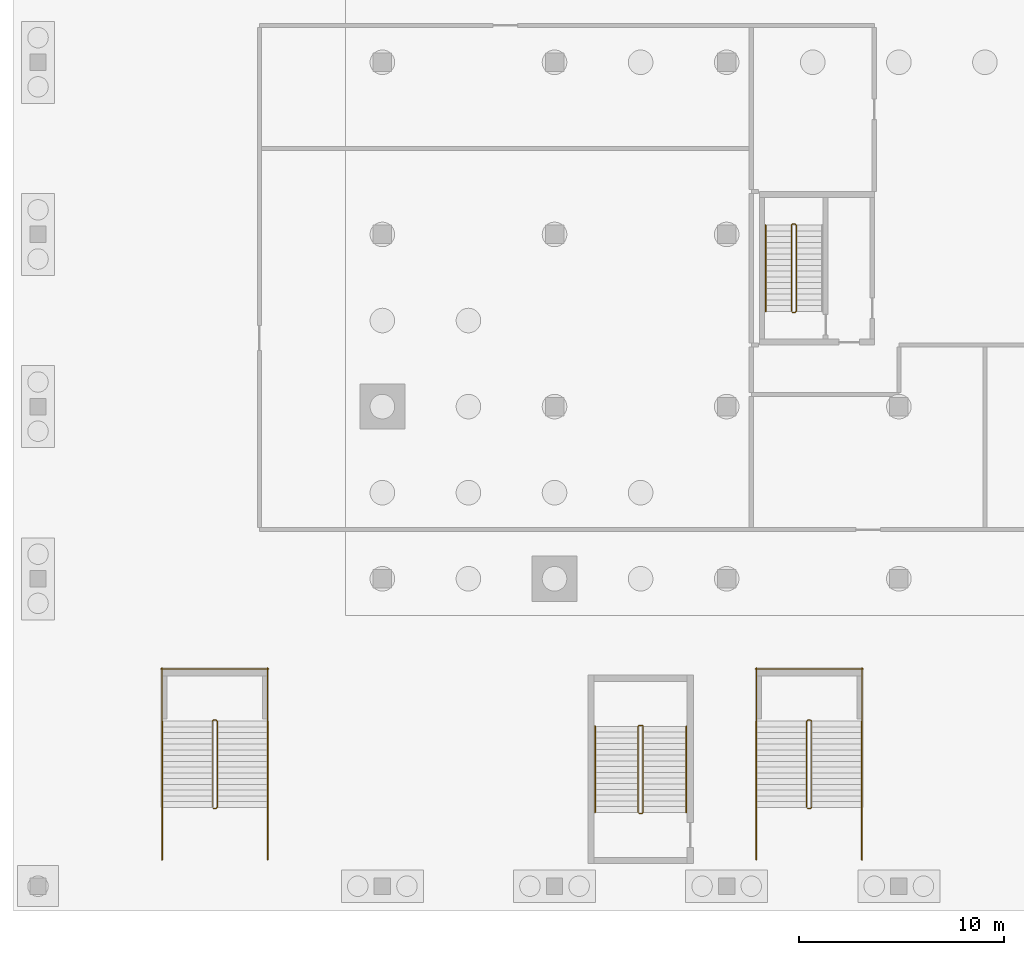
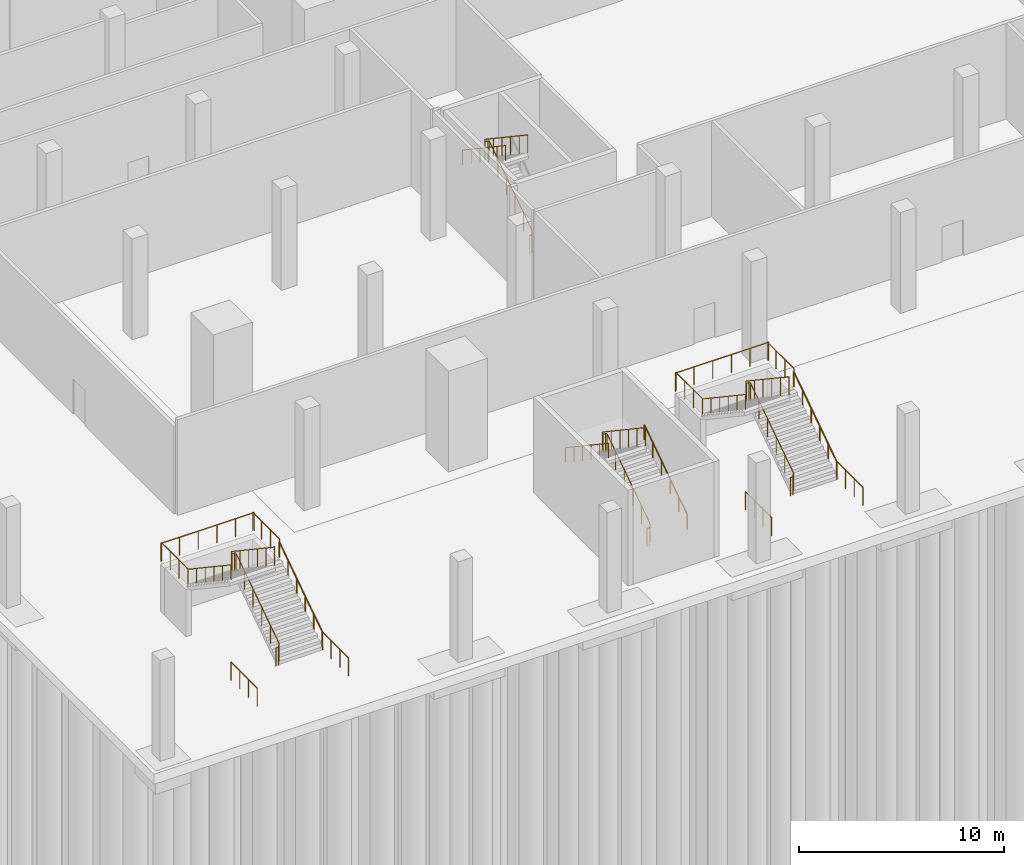
# One storey, part 13 of 16: 17 railings.
"""IFC4 building model written with IfcOpenShell, lengths in metres."""

from ifc_helpers import new_model, si_unit, direction, frame, origin, origin_2d, place, context, subcontext, project, spatial, circle, extrude, material, type_object, element, save


model = new_model("IFC4")

# Units and contexts
model_context = context("Model", 3, precision=1e-05, world=origin(), true_north=direction((0.0, 1.0)))
body_context = subcontext(model_context, "Body", "Model", "MODEL_VIEW")
ifc_project = project(units=[si_unit("LENGTHUNIT", "METRE"), si_unit("AREAUNIT", "SQUARE_METRE"), si_unit("VOLUMEUNIT", "CUBIC_METRE"), si_unit("PLANEANGLEUNIT", "RADIAN"), si_unit("MASSUNIT", "GRAM", prefix="KILO")], contexts=[model_context])

# Site, building, storey
site_placement = place(None, origin())
site = spatial("IfcSite", under=ifc_project, at=site_placement, CompositionType="ELEMENT")
building_placement = place(site_placement, origin())
building = spatial("IfcBuilding", under=site, at=building_placement, Name="Saffron Gate Tower", CompositionType="ELEMENT")
storey_placement = place(building_placement, frame((0.0, 0.0, -6.0)))
storey = spatial("IfcBuildingStorey", under=building, at=storey_placement, Name="B1", CompositionType="ELEMENT", Elevation=-6.0)

# Railings
ifc_material_1 = material(Name="Stainless steel and laminated glass", Category="steel")
railing_type_1 = type_object("IfcRailingType", Name="CR1 Stair guard 1100", PredefinedType="GUARDRAIL", material=ifc_material_1)
railing_1_placement = place(storey_placement, frame((41.550048828125, 20.60009765625, 0.0)))
element("IfcRailing", 1, at=railing_1_placement, inside=storey, type_object=railing_type_1, Name="B1 SS1 stair guard 1", PredefinedType="GUARDRAIL", context=body_context, shape_type="SweptSolid", body=[
    extrude(circle(Radius=0.02392578125, at=origin_2d()), frame((0.0, 0.0, 1.076171875), z_axis=(1.0, 0.0, 0.0), x_axis=(0.0, 1.0, 0.0)), (0.0, 0.0, 1.0), 0.14990234375),
    extrude(circle(Radius=0.02392578125, at=origin_2d()), frame((0.14990234375, 0.0, 1.076171875), z_axis=(0.249802250048, 0.248583702486, 0.935844527007), x_axis=(-0.705375805398, 0.708833529934, 0.0)), (0.0, 0.0, 1.0), 0.200439453125),
    extrude(circle(Radius=0.02392578125, at=origin_2d()), frame((0.199951171875, 0.0498046875, 1.263671875), z_axis=(0.0, 0.830919138977, 0.55639319234), x_axis=(-1.0, 0.0, 0.0)), (0.0, 0.0, 1.0), 5.054931640625),
    extrude(circle(Radius=0.02392578125, at=origin_2d()), frame((0.199951171875, 4.25, 4.076171875), z_axis=(-0.708833529934, 0.705375805398, 0.0), x_axis=(-0.705375805398, -0.708833529934, 0.0)), (0.0, 0.0, 1.0), 0.070556640625),
    extrude(circle(Radius=0.02392578125, at=origin_2d()), frame((0.14990234375, 4.2998046875, 4.076171875), z_axis=(-1.0, 0.0, 0.0), x_axis=(0.0, -1.0, 0.0)), (0.0, 0.0, 1.0), 0.14990234375),
    extrude(circle(Radius=0.02392578125, at=origin_2d()), frame((0.0, 4.2998046875, 4.076171875), z_axis=(-0.249802250048, -0.248583702486, 0.935844527007), x_axis=(0.705375805398, -0.708833529934, 0.0)), (0.0, 0.0, 1.0), 0.200439453125),
    extrude(circle(Radius=0.02392578125, at=origin_2d()), frame((-0.050048828125, 4.25, 4.263671875), z_axis=(0.0, -0.830919138977, 0.55639319234), x_axis=(1.0, 0.0, 0.0)), (0.0, 0.0, 1.0), 5.054931640625),
    extrude(circle(Radius=0.02099609375, at=origin_2d()), origin(), (0.0, 0.0, 1.0), 1.052001953125),
    extrude(circle(Radius=0.02099609375, at=origin_2d()), frame((0.14990234375, 0.0, 0.0)), (0.0, 0.0, 1.0), 1.052001953125),
    extrude(circle(Radius=0.02099609375, at=origin_2d()), frame((0.199951171875, 0.0498046875, 0.1875)), (0.0, 0.0, 1.0), 1.052001953125),
    extrude(circle(Radius=0.02099609375, at=origin_2d()), frame((0.199951171875, 0.889892578125, 0.75)), (0.0, 0.0, 1.0), 1.052001953125),
    extrude(circle(Radius=0.02099609375, at=origin_2d()), frame((0.199951171875, 1.72998046875, 1.3125)), (0.0, 0.0, 1.0), 1.052001953125),
    extrude(circle(Radius=0.02099609375, at=origin_2d()), frame((0.199951171875, 2.56982421875, 1.875)), (0.0, 0.0, 1.0), 1.052001953125),
    extrude(circle(Radius=0.02099609375, at=origin_2d()), frame((0.199951171875, 3.409912109375, 2.4375)), (0.0, 0.0, 1.0), 1.052001953125),
    extrude(circle(Radius=0.02099609375, at=origin_2d()), frame((0.199951171875, 4.25, 3.0)), (0.0, 0.0, 1.0), 1.052001953125),
    extrude(circle(Radius=0.02099609375, at=origin_2d()), frame((0.14990234375, 4.2998046875, 3.0)), (0.0, 0.0, 1.0), 1.052001953125),
    extrude(circle(Radius=0.02099609375, at=origin_2d()), frame((0.0, 4.2998046875, 3.0)), (0.0, 0.0, 1.0), 1.052001953125),
    extrude(circle(Radius=0.02099609375, at=origin_2d()), frame((-0.050048828125, 4.25, 3.1875)), (0.0, 0.0, 1.0), 1.052001953125),
    extrude(circle(Radius=0.02099609375, at=origin_2d()), frame((-0.050048828125, 3.409912109375, 3.75)), (0.0, 0.0, 1.0), 1.052001953125),
    extrude(circle(Radius=0.02099609375, at=origin_2d()), frame((-0.050048828125, 2.56982421875, 4.3125)), (0.0, 0.0, 1.0), 1.052001953125),
    extrude(circle(Radius=0.02099609375, at=origin_2d()), frame((-0.050048828125, 1.72998046875, 4.875)), (0.0, 0.0, 1.0), 1.052001953125),
    extrude(circle(Radius=0.02099609375, at=origin_2d()), frame((-0.050048828125, 0.889892578125, 5.4375)), (0.0, 0.0, 1.0), 1.052001953125),
    extrude(circle(Radius=0.02099609375, at=origin_2d()), frame((-0.050048828125, 0.0498046875, 6.0)), (0.0, 0.0, 1.0), 1.052001953125),
])
railing_2_placement = place(storey_placement, frame((44.199951171875, 24.85009765625, 3.0)))
element("IfcRailing", 2, at=railing_2_placement, inside=storey, type_object=railing_type_1, Name="B1 SS1 stair guard 2", PredefinedType="GUARDRAIL", context=body_context, shape_type="SweptSolid", body=[
    extrude(circle(Radius=0.02392578125, at=origin_2d()), frame((0.0, 0.0, 1.076171875), z_axis=(0.0, 1.0, 0.0), x_axis=(-1.0, 0.0, 0.0)), (0.0, 0.0, 1.0), 2.599853515625),
    extrude(circle(Radius=0.02392578125, at=origin_2d()), frame((0.0, 2.599853515625, 1.076171875), z_axis=(0.707106781187, -0.707106781187, 0.0), x_axis=(0.707106781187, 0.707106781187, 0.0)), (0.0, 0.0, 1.0), 0.07080078125),
    extrude(circle(Radius=0.02392578125, at=origin_2d()), frame((0.050048828125, 2.5498046875, 1.076171875), z_axis=(-1.0, 0.0, 0.0), x_axis=(0.0, -1.0, 0.0)), (0.0, 0.0, 1.0), 5.25),
    extrude(circle(Radius=0.02392578125, at=origin_2d()), frame((-5.199951171875, 2.5498046875, 1.076171875), z_axis=(0.707106781187, 0.707106781187, 0.0), x_axis=(-0.707106781187, 0.707106781187, 0.0)), (0.0, 0.0, 1.0), 0.07080078125),
    extrude(circle(Radius=0.02392578125, at=origin_2d()), frame((-5.14990234375, 2.599853515625, 1.076171875), z_axis=(0.0, -1.0, 0.0), x_axis=(1.0, 0.0, 0.0)), (0.0, 0.0, 1.0), 2.599853515625),
    extrude(circle(Radius=0.02099609375, at=origin_2d()), origin(), (0.0, 0.0, 1.0), 1.052001953125),
    extrude(circle(Radius=0.02099609375, at=origin_2d()), frame((0.0, 0.86669921875, 0.0)), (0.0, 0.0, 1.0), 1.052001953125),
    extrude(circle(Radius=0.02099609375, at=origin_2d()), frame((0.0, 1.733154296875, 0.0)), (0.0, 0.0, 1.0), 1.052001953125),
    extrude(circle(Radius=0.02099609375, at=origin_2d()), frame((0.0, 2.599853515625, 0.0)), (0.0, 0.0, 1.0), 1.052001953125),
    extrude(circle(Radius=0.02099609375, at=origin_2d()), frame((0.050048828125, 2.5498046875, 0.0)), (0.0, 0.0, 1.0), 1.052001953125),
    extrude(circle(Radius=0.02099609375, at=origin_2d()), frame((-1.0, 2.5498046875, 0.0)), (0.0, 0.0, 1.0), 1.052001953125),
    extrude(circle(Radius=0.02099609375, at=origin_2d()), frame((-2.050048828125, 2.5498046875, 0.0)), (0.0, 0.0, 1.0), 1.052001953125),
    extrude(circle(Radius=0.02099609375, at=origin_2d()), frame((-3.099853515625, 2.5498046875, 0.0)), (0.0, 0.0, 1.0), 1.052001953125),
    extrude(circle(Radius=0.02099609375, at=origin_2d()), frame((-4.14990234375, 2.5498046875, 0.0)), (0.0, 0.0, 1.0), 1.052001953125),
    extrude(circle(Radius=0.02099609375, at=origin_2d()), frame((-5.199951171875, 2.5498046875, 0.0)), (0.0, 0.0, 1.0), 1.052001953125),
    extrude(circle(Radius=0.02099609375, at=origin_2d()), frame((-5.14990234375, 2.599853515625, 0.0)), (0.0, 0.0, 1.0), 1.052001953125),
    extrude(circle(Radius=0.02099609375, at=origin_2d()), frame((-5.14990234375, 1.733154296875, 0.0)), (0.0, 0.0, 1.0), 1.052001953125),
    extrude(circle(Radius=0.02099609375, at=origin_2d()), frame((-5.14990234375, 0.86669921875, 0.0)), (0.0, 0.0, 1.0), 1.052001953125),
    extrude(circle(Radius=0.02099609375, at=origin_2d()), frame((-5.14990234375, 0.0, 0.0)), (0.0, 0.0, 1.0), 1.052001953125),
])
for number, where, name in (
    (3, (44.199951171875, 18.10009765625, 0.0), "B1 SS1 stair guard 3"),
    (4, (39.050048828125, 18.10009765625, 0.0), "B1 SS1 stair guard 4"),
):
    element("IfcRailing", number, at=place(storey_placement, frame(where)), inside=storey, type_object=railing_type_1, Name=name, PredefinedType="GUARDRAIL", context=body_context, shape_type="SweptSolid", body=[
        extrude(circle(Radius=0.02392578125, at=origin_2d()), frame((0.0, 0.0, 1.076171875), z_axis=(0.0, 1.0, 0.0), x_axis=(-1.0, 0.0, 0.0)), (0.0, 0.0, 1.0), 2.5498046875),
        extrude(circle(Radius=0.02099609375, at=origin_2d()), origin(), (0.0, 0.0, 1.0), 1.052001953125),
        extrude(circle(Radius=0.02099609375, at=origin_2d()), frame((0.0, 0.849853515625, 0.0)), (0.0, 0.0, 1.0), 1.052001953125),
        extrude(circle(Radius=0.02099609375, at=origin_2d()), frame((0.0, 1.699951171875, 0.0)), (0.0, 0.0, 1.0), 1.052001953125),
        extrude(circle(Radius=0.02099609375, at=origin_2d()), frame((0.0, 2.5498046875, 0.0)), (0.0, 0.0, 1.0), 1.052001953125),
    ])
railing_3_placement = place(storey_placement, frame((70.550048828125, 20.60009765625, 0.0)))
element("IfcRailing", 5, at=railing_3_placement, inside=storey, type_object=railing_type_1, Name="B1 SS2 stair guard 1", PredefinedType="GUARDRAIL", context=body_context, shape_type="SweptSolid", body=[
    extrude(circle(Radius=0.02392578125, at=origin_2d()), frame((0.0, 0.0, 1.076171875), z_axis=(1.0, 0.0, 0.0), x_axis=(0.0, 1.0, 0.0)), (0.0, 0.0, 1.0), 0.14990234375),
    extrude(circle(Radius=0.02392578125, at=origin_2d()), frame((0.14990234375, 0.0, 1.076171875), z_axis=(0.249802250048, 0.248583702486, 0.935844527007), x_axis=(-0.705375805398, 0.708833529934, 0.0)), (0.0, 0.0, 1.0), 0.200439453125),
    extrude(circle(Radius=0.02392578125, at=origin_2d()), frame((0.199951171875, 0.0498046875, 1.263671875), z_axis=(0.0, 0.830919138977, 0.55639319234), x_axis=(-1.0, 0.0, 0.0)), (0.0, 0.0, 1.0), 5.054931640625),
    extrude(circle(Radius=0.02392578125, at=origin_2d()), frame((0.199951171875, 4.25, 4.076171875), z_axis=(-0.708833529934, 0.705375805398, 0.0), x_axis=(-0.705375805398, -0.708833529934, 0.0)), (0.0, 0.0, 1.0), 0.070556640625),
    extrude(circle(Radius=0.02392578125, at=origin_2d()), frame((0.14990234375, 4.2998046875, 4.076171875), z_axis=(-1.0, 0.0, 0.0), x_axis=(0.0, -1.0, 0.0)), (0.0, 0.0, 1.0), 0.14990234375),
    extrude(circle(Radius=0.02392578125, at=origin_2d()), frame((0.0, 4.2998046875, 4.076171875), z_axis=(-0.249802250048, -0.248583702486, 0.935844527007), x_axis=(0.705375805398, -0.708833529934, 0.0)), (0.0, 0.0, 1.0), 0.200439453125),
    extrude(circle(Radius=0.02392578125, at=origin_2d()), frame((-0.050048828125, 4.25, 4.263671875), z_axis=(0.0, -0.830919138977, 0.55639319234), x_axis=(1.0, 0.0, 0.0)), (0.0, 0.0, 1.0), 5.054931640625),
    extrude(circle(Radius=0.02099609375, at=origin_2d()), origin(), (0.0, 0.0, 1.0), 1.052001953125),
    extrude(circle(Radius=0.02099609375, at=origin_2d()), frame((0.14990234375, 0.0, 0.0)), (0.0, 0.0, 1.0), 1.052001953125),
    extrude(circle(Radius=0.02099609375, at=origin_2d()), frame((0.199951171875, 0.0498046875, 0.1875)), (0.0, 0.0, 1.0), 1.052001953125),
    extrude(circle(Radius=0.02099609375, at=origin_2d()), frame((0.199951171875, 0.889892578125, 0.75)), (0.0, 0.0, 1.0), 1.052001953125),
    extrude(circle(Radius=0.02099609375, at=origin_2d()), frame((0.199951171875, 1.72998046875, 1.3125)), (0.0, 0.0, 1.0), 1.052001953125),
    extrude(circle(Radius=0.02099609375, at=origin_2d()), frame((0.199951171875, 2.56982421875, 1.875)), (0.0, 0.0, 1.0), 1.052001953125),
    extrude(circle(Radius=0.02099609375, at=origin_2d()), frame((0.199951171875, 3.409912109375, 2.4375)), (0.0, 0.0, 1.0), 1.052001953125),
    extrude(circle(Radius=0.02099609375, at=origin_2d()), frame((0.199951171875, 4.25, 3.0)), (0.0, 0.0, 1.0), 1.052001953125),
    extrude(circle(Radius=0.02099609375, at=origin_2d()), frame((0.14990234375, 4.2998046875, 3.0)), (0.0, 0.0, 1.0), 1.052001953125),
    extrude(circle(Radius=0.02099609375, at=origin_2d()), frame((0.0, 4.2998046875, 3.0)), (0.0, 0.0, 1.0), 1.052001953125),
    extrude(circle(Radius=0.02099609375, at=origin_2d()), frame((-0.050048828125, 4.25, 3.1875)), (0.0, 0.0, 1.0), 1.052001953125),
    extrude(circle(Radius=0.02099609375, at=origin_2d()), frame((-0.050048828125, 3.409912109375, 3.75)), (0.0, 0.0, 1.0), 1.052001953125),
    extrude(circle(Radius=0.02099609375, at=origin_2d()), frame((-0.050048828125, 2.56982421875, 4.3125)), (0.0, 0.0, 1.0), 1.052001953125),
    extrude(circle(Radius=0.02099609375, at=origin_2d()), frame((-0.050048828125, 1.72998046875, 4.875)), (0.0, 0.0, 1.0), 1.052001953125),
    extrude(circle(Radius=0.02099609375, at=origin_2d()), frame((-0.050048828125, 0.889892578125, 5.4375)), (0.0, 0.0, 1.0), 1.052001953125),
    extrude(circle(Radius=0.02099609375, at=origin_2d()), frame((-0.050048828125, 0.0498046875, 6.0)), (0.0, 0.0, 1.0), 1.052001953125),
])
railing_4_placement = place(storey_placement, frame((73.199951171875, 24.85009765625, 3.0)))
element("IfcRailing", 6, at=railing_4_placement, inside=storey, type_object=railing_type_1, Name="B1 SS2 stair guard 2", PredefinedType="GUARDRAIL", context=body_context, shape_type="SweptSolid", body=[
    extrude(circle(Radius=0.02392578125, at=origin_2d()), frame((0.0, 0.0, 1.076171875), z_axis=(0.0, 1.0, 0.0), x_axis=(-1.0, 0.0, 0.0)), (0.0, 0.0, 1.0), 2.599853515625),
    extrude(circle(Radius=0.02392578125, at=origin_2d()), frame((0.0, 2.599853515625, 1.076171875), z_axis=(0.707106781187, -0.707106781187, 0.0), x_axis=(0.707106781187, 0.707106781187, 0.0)), (0.0, 0.0, 1.0), 0.07080078125),
    extrude(circle(Radius=0.02392578125, at=origin_2d()), frame((0.050048828125, 2.5498046875, 1.076171875), z_axis=(-1.0, 0.0, 0.0), x_axis=(0.0, -1.0, 0.0)), (0.0, 0.0, 1.0), 5.25),
    extrude(circle(Radius=0.02392578125, at=origin_2d()), frame((-5.199951171875, 2.5498046875, 1.076171875), z_axis=(0.707106781187, 0.707106781187, 0.0), x_axis=(-0.707106781187, 0.707106781187, 0.0)), (0.0, 0.0, 1.0), 0.07080078125),
    extrude(circle(Radius=0.02392578125, at=origin_2d()), frame((-5.14990234375, 2.599853515625, 1.076171875), z_axis=(0.0, -1.0, 0.0), x_axis=(1.0, 0.0, 0.0)), (0.0, 0.0, 1.0), 2.599853515625),
    extrude(circle(Radius=0.02099609375, at=origin_2d()), origin(), (0.0, 0.0, 1.0), 1.052001953125),
    extrude(circle(Radius=0.02099609375, at=origin_2d()), frame((0.0, 0.86669921875, 0.0)), (0.0, 0.0, 1.0), 1.052001953125),
    extrude(circle(Radius=0.02099609375, at=origin_2d()), frame((0.0, 1.733154296875, 0.0)), (0.0, 0.0, 1.0), 1.052001953125),
    extrude(circle(Radius=0.02099609375, at=origin_2d()), frame((0.0, 2.599853515625, 0.0)), (0.0, 0.0, 1.0), 1.052001953125),
    extrude(circle(Radius=0.02099609375, at=origin_2d()), frame((0.050048828125, 2.5498046875, 0.0)), (0.0, 0.0, 1.0), 1.052001953125),
    extrude(circle(Radius=0.02099609375, at=origin_2d()), frame((-1.0, 2.5498046875, 0.0)), (0.0, 0.0, 1.0), 1.052001953125),
    extrude(circle(Radius=0.02099609375, at=origin_2d()), frame((-2.050048828125, 2.5498046875, 0.0)), (0.0, 0.0, 1.0), 1.052001953125),
    extrude(circle(Radius=0.02099609375, at=origin_2d()), frame((-3.099853515625, 2.5498046875, 0.0)), (0.0, 0.0, 1.0), 1.052001953125),
    extrude(circle(Radius=0.02099609375, at=origin_2d()), frame((-4.14990234375, 2.5498046875, 0.0)), (0.0, 0.0, 1.0), 1.052001953125),
    extrude(circle(Radius=0.02099609375, at=origin_2d()), frame((-5.199951171875, 2.5498046875, 0.0)), (0.0, 0.0, 1.0), 1.052001953125),
    extrude(circle(Radius=0.02099609375, at=origin_2d()), frame((-5.14990234375, 2.599853515625, 0.0)), (0.0, 0.0, 1.0), 1.052001953125),
    extrude(circle(Radius=0.02099609375, at=origin_2d()), frame((-5.14990234375, 1.733154296875, 0.0)), (0.0, 0.0, 1.0), 1.052001953125),
    extrude(circle(Radius=0.02099609375, at=origin_2d()), frame((-5.14990234375, 0.86669921875, 0.0)), (0.0, 0.0, 1.0), 1.052001953125),
    extrude(circle(Radius=0.02099609375, at=origin_2d()), frame((-5.14990234375, 0.0, 0.0)), (0.0, 0.0, 1.0), 1.052001953125),
])
for number, where, name in (
    (7, (73.199951171875, 18.10009765625, 0.0), "B1 SS2 stair guard 3"),
    (8, (68.050048828125, 18.10009765625, 0.0), "B1 SS2 stair guard 4"),
):
    element("IfcRailing", number, at=place(storey_placement, frame(where)), inside=storey, type_object=railing_type_1, Name=name, PredefinedType="GUARDRAIL", context=body_context, shape_type="SweptSolid", body=[
        extrude(circle(Radius=0.02392578125, at=origin_2d()), frame((0.0, 0.0, 1.076171875), z_axis=(0.0, 1.0, 0.0), x_axis=(-1.0, 0.0, 0.0)), (0.0, 0.0, 1.0), 2.5498046875),
        extrude(circle(Radius=0.02099609375, at=origin_2d()), origin(), (0.0, 0.0, 1.0), 1.052001953125),
        extrude(circle(Radius=0.02099609375, at=origin_2d()), frame((0.0, 0.849853515625, 0.0)), (0.0, 0.0, 1.0), 1.052001953125),
        extrude(circle(Radius=0.02099609375, at=origin_2d()), frame((0.0, 1.699951171875, 0.0)), (0.0, 0.0, 1.0), 1.052001953125),
        extrude(circle(Radius=0.02099609375, at=origin_2d()), frame((0.0, 2.5498046875, 0.0)), (0.0, 0.0, 1.0), 1.052001953125),
    ])
railing_5_placement = place(storey_placement, frame((69.800048828125, 44.800048828125, 0.0)))
element("IfcRailing", 9, at=railing_5_placement, inside=storey, type_object=railing_type_1, Name="B1 ST-D stair guard 1", PredefinedType="GUARDRAIL", context=body_context, shape_type="SweptSolid", body=[
    extrude(circle(Radius=0.02392578125, at=origin_2d()), frame((0.0, 0.0, 1.076171875), z_axis=(1.0, 0.0, 0.0), x_axis=(0.0, 1.0, 0.0)), (0.0, 0.0, 1.0), 0.14990234375),
    extrude(circle(Radius=0.02392578125, at=origin_2d()), frame((0.14990234375, 0.0, 1.076171875), z_axis=(0.249726431254, 0.249726431254, 0.935560483917), x_axis=(-0.707106781187, 0.707106781187, 0.0)), (0.0, 0.0, 1.0), 0.200439453125),
    extrude(circle(Radius=0.02392578125, at=origin_2d()), frame((0.199951171875, 0.050048828125, 1.263671875), z_axis=(0.0, 0.830904186295, 0.556415522067), x_axis=(-1.0, 0.0, 0.0)), (0.0, 0.0, 1.0), 5.0546875),
    extrude(circle(Radius=0.02392578125, at=origin_2d()), frame((0.199951171875, 4.25, 4.076171875), z_axis=(-0.707106781187, 0.707106781187, 0.0), x_axis=(-0.707106781187, -0.707106781187, 0.0)), (0.0, 0.0, 1.0), 0.07080078125),
    extrude(circle(Radius=0.02392578125, at=origin_2d()), frame((0.14990234375, 4.300048828125, 4.076171875), z_axis=(-1.0, 0.0, 0.0), x_axis=(0.0, -1.0, 0.0)), (0.0, 0.0, 1.0), 0.14990234375),
    extrude(circle(Radius=0.02392578125, at=origin_2d()), frame((0.0, 4.300048828125, 4.076171875), z_axis=(-0.249726431254, -0.249726431254, 0.935560483917), x_axis=(0.707106781187, -0.707106781187, 0.0)), (0.0, 0.0, 1.0), 0.200439453125),
    extrude(circle(Radius=0.02392578125, at=origin_2d()), frame((-0.050048828125, 4.25, 4.263671875), z_axis=(0.0, -0.830904186295, 0.556415522067), x_axis=(1.0, 0.0, 0.0)), (0.0, 0.0, 1.0), 5.0546875),
    extrude(circle(Radius=0.02099609375, at=origin_2d()), origin(), (0.0, 0.0, 1.0), 1.052001953125),
    extrude(circle(Radius=0.02099609375, at=origin_2d()), frame((0.14990234375, 0.0, 0.0)), (0.0, 0.0, 1.0), 1.052001953125),
    extrude(circle(Radius=0.02099609375, at=origin_2d()), frame((0.199951171875, 0.050048828125, 0.1875)), (0.0, 0.0, 1.0), 1.052001953125),
    extrude(circle(Radius=0.02099609375, at=origin_2d()), frame((0.199951171875, 0.89013671875, 0.75)), (0.0, 0.0, 1.0), 1.052001953125),
    extrude(circle(Radius=0.02099609375, at=origin_2d()), frame((0.199951171875, 1.72998046875, 1.3125)), (0.0, 0.0, 1.0), 1.052001953125),
    extrude(circle(Radius=0.02099609375, at=origin_2d()), frame((0.199951171875, 2.570068359375, 1.875)), (0.0, 0.0, 1.0), 1.052001953125),
    extrude(circle(Radius=0.02099609375, at=origin_2d()), frame((0.199951171875, 3.409912109375, 2.4375)), (0.0, 0.0, 1.0), 1.052001953125),
    extrude(circle(Radius=0.02099609375, at=origin_2d()), frame((0.199951171875, 4.25, 3.0)), (0.0, 0.0, 1.0), 1.052001953125),
    extrude(circle(Radius=0.02099609375, at=origin_2d()), frame((0.14990234375, 4.300048828125, 3.0)), (0.0, 0.0, 1.0), 1.052001953125),
    extrude(circle(Radius=0.02099609375, at=origin_2d()), frame((0.0, 4.300048828125, 3.0)), (0.0, 0.0, 1.0), 1.052001953125),
    extrude(circle(Radius=0.02099609375, at=origin_2d()), frame((-0.050048828125, 4.25, 3.1875)), (0.0, 0.0, 1.0), 1.052001953125),
    extrude(circle(Radius=0.02099609375, at=origin_2d()), frame((-0.050048828125, 3.409912109375, 3.75)), (0.0, 0.0, 1.0), 1.052001953125),
    extrude(circle(Radius=0.02099609375, at=origin_2d()), frame((-0.050048828125, 2.570068359375, 4.3125)), (0.0, 0.0, 1.0), 1.052001953125),
    extrude(circle(Radius=0.02099609375, at=origin_2d()), frame((-0.050048828125, 1.72998046875, 4.875)), (0.0, 0.0, 1.0), 1.052001953125),
    extrude(circle(Radius=0.02099609375, at=origin_2d()), frame((-0.050048828125, 0.89013671875, 5.4375)), (0.0, 0.0, 1.0), 1.052001953125),
    extrude(circle(Radius=0.02099609375, at=origin_2d()), frame((-0.050048828125, 0.050048828125, 6.0)), (0.0, 0.0, 1.0), 1.052001953125),
])
railing_6_placement = place(storey_placement, frame((62.324951171875, 20.35009765625, 0.0)))
element("IfcRailing", 10, at=railing_6_placement, inside=storey, type_object=railing_type_1, Name="B1 ST-L stair guard 1", PredefinedType="GUARDRAIL", context=body_context, shape_type="SweptSolid", body=[
    extrude(circle(Radius=0.02392578125, at=origin_2d()), frame((0.0, 0.0, 1.076171875), z_axis=(1.0, 0.0, 0.0), x_axis=(0.0, 1.0, 0.0)), (0.0, 0.0, 1.0), 0.150146484375),
    extrude(circle(Radius=0.02392578125, at=origin_2d()), frame((0.150146484375, 0.0, 1.076171875), z_axis=(0.248659220195, 0.248659220195, 0.936128828968), x_axis=(-0.707106781187, 0.707106781187, 0.0)), (0.0, 0.0, 1.0), 0.2001953125),
    extrude(circle(Radius=0.02392578125, at=origin_2d()), frame((0.199951171875, 0.0498046875, 1.263671875), z_axis=(0.0, 0.830919138977, 0.55639319234), x_axis=(-1.0, 0.0, 0.0)), (0.0, 0.0, 1.0), 5.054931640625),
    extrude(circle(Radius=0.02392578125, at=origin_2d()), frame((0.199951171875, 4.25, 4.076171875), z_axis=(-0.707106781187, 0.707106781187, 0.0), x_axis=(-0.707106781187, -0.707106781187, 0.0)), (0.0, 0.0, 1.0), 0.0703125),
    extrude(circle(Radius=0.02392578125, at=origin_2d()), frame((0.150146484375, 4.2998046875, 4.076171875), z_axis=(-1.0, 0.0, 0.0), x_axis=(0.0, -1.0, 0.0)), (0.0, 0.0, 1.0), 0.150146484375),
    extrude(circle(Radius=0.02392578125, at=origin_2d()), frame((0.0, 4.2998046875, 4.076171875), z_axis=(-0.249802250048, -0.248583702486, 0.935844527007), x_axis=(0.705375805398, -0.708833529934, 0.0)), (0.0, 0.0, 1.0), 0.200439453125),
    extrude(circle(Radius=0.02392578125, at=origin_2d()), frame((-0.050048828125, 4.25, 4.263671875), z_axis=(0.0, -0.830919138977, 0.55639319234), x_axis=(1.0, 0.0, 0.0)), (0.0, 0.0, 1.0), 5.054931640625),
    extrude(circle(Radius=0.02099609375, at=origin_2d()), origin(), (0.0, 0.0, 1.0), 1.052001953125),
    extrude(circle(Radius=0.02099609375, at=origin_2d()), frame((0.150146484375, 0.0, 0.0)), (0.0, 0.0, 1.0), 1.052001953125),
    extrude(circle(Radius=0.02099609375, at=origin_2d()), frame((0.199951171875, 0.0498046875, 0.1875)), (0.0, 0.0, 1.0), 1.052001953125),
    extrude(circle(Radius=0.02099609375, at=origin_2d()), frame((0.199951171875, 0.889892578125, 0.75)), (0.0, 0.0, 1.0), 1.052001953125),
    extrude(circle(Radius=0.02099609375, at=origin_2d()), frame((0.199951171875, 1.72998046875, 1.3125)), (0.0, 0.0, 1.0), 1.052001953125),
    extrude(circle(Radius=0.02099609375, at=origin_2d()), frame((0.199951171875, 2.56982421875, 1.875)), (0.0, 0.0, 1.0), 1.052001953125),
    extrude(circle(Radius=0.02099609375, at=origin_2d()), frame((0.199951171875, 3.409912109375, 2.4375)), (0.0, 0.0, 1.0), 1.052001953125),
    extrude(circle(Radius=0.02099609375, at=origin_2d()), frame((0.199951171875, 4.25, 3.0)), (0.0, 0.0, 1.0), 1.052001953125),
    extrude(circle(Radius=0.02099609375, at=origin_2d()), frame((0.150146484375, 4.2998046875, 3.0)), (0.0, 0.0, 1.0), 1.052001953125),
    extrude(circle(Radius=0.02099609375, at=origin_2d()), frame((0.0, 4.2998046875, 3.0)), (0.0, 0.0, 1.0), 1.052001953125),
    extrude(circle(Radius=0.02099609375, at=origin_2d()), frame((-0.050048828125, 4.25, 3.1875)), (0.0, 0.0, 1.0), 1.052001953125),
    extrude(circle(Radius=0.02099609375, at=origin_2d()), frame((-0.050048828125, 3.409912109375, 3.75)), (0.0, 0.0, 1.0), 1.052001953125),
    extrude(circle(Radius=0.02099609375, at=origin_2d()), frame((-0.050048828125, 2.56982421875, 4.3125)), (0.0, 0.0, 1.0), 1.052001953125),
    extrude(circle(Radius=0.02099609375, at=origin_2d()), frame((-0.050048828125, 1.72998046875, 4.875)), (0.0, 0.0, 1.0), 1.052001953125),
    extrude(circle(Radius=0.02099609375, at=origin_2d()), frame((-0.050048828125, 0.889892578125, 5.4375)), (0.0, 0.0, 1.0), 1.052001953125),
    extrude(circle(Radius=0.02099609375, at=origin_2d()), frame((-0.050048828125, 0.0498046875, 6.0)), (0.0, 0.0, 1.0), 1.052001953125),
])
ifc_material_2 = material(Name="Stainless steel", Category="steel")
railing_type_2 = type_object("IfcRailingType", Name="CR2 Stair handrail 900", PredefinedType="HANDRAIL", material=ifc_material_2)
railing_7_placement = place(storey_placement, frame((44.199951171875, 20.64990234375, 0.1875)))
element("IfcRailing", 11, at=railing_7_placement, inside=storey, type_object=railing_type_2, Name="B1 SS1 stair handrail 1", PredefinedType="HANDRAIL", context=body_context, shape_type="SweptSolid", body=[
    extrude(circle(Radius=0.02392578125, at=origin_2d()), frame((0.0, 0.0, 0.8759765625), z_axis=(0.0, 0.830919138977, 0.55639319234), x_axis=(-1.0, 0.0, 0.0)), (0.0, 0.0, 1.0), 5.054931640625),
    extrude(circle(Radius=0.02099609375, at=origin_2d()), origin(), (0.0, 0.0, 1.0), 0.851806640625),
    extrude(circle(Radius=0.02099609375, at=origin_2d()), frame((0.0, 0.840087890625, 0.5625)), (0.0, 0.0, 1.0), 0.851806640625),
    extrude(circle(Radius=0.02099609375, at=origin_2d()), frame((0.0, 1.68017578125, 1.125)), (0.0, 0.0, 1.0), 0.851806640625),
    extrude(circle(Radius=0.02099609375, at=origin_2d()), frame((0.0, 2.52001953125, 1.6875)), (0.0, 0.0, 1.0), 0.851806640625),
    extrude(circle(Radius=0.02099609375, at=origin_2d()), frame((0.0, 3.360107421875, 2.25)), (0.0, 0.0, 1.0), 0.851806640625),
    extrude(circle(Radius=0.02099609375, at=origin_2d()), frame((0.0, 4.2001953125, 2.8125)), (0.0, 0.0, 1.0), 0.851806640625),
])
railing_8_placement = place(storey_placement, frame((39.050048828125, 24.85009765625, 3.1875)))
element("IfcRailing", 12, at=railing_8_placement, inside=storey, type_object=railing_type_2, Name="B1 SS1 stair handrail 2", PredefinedType="HANDRAIL", context=body_context, shape_type="SweptSolid", body=[
    extrude(circle(Radius=0.02392578125, at=origin_2d()), frame((0.0, 0.0, 0.8759765625), z_axis=(0.0, -0.830919138977, 0.55639319234), x_axis=(1.0, 0.0, 0.0)), (0.0, 0.0, 1.0), 5.054931640625),
    extrude(circle(Radius=0.02099609375, at=origin_2d()), origin(), (0.0, 0.0, 1.0), 0.851806640625),
    extrude(circle(Radius=0.02099609375, at=origin_2d()), frame((0.0, -0.840087890625, 0.5625)), (0.0, 0.0, 1.0), 0.851806640625),
    extrude(circle(Radius=0.02099609375, at=origin_2d()), frame((0.0, -1.68017578125, 1.125)), (0.0, 0.0, 1.0), 0.851806640625),
    extrude(circle(Radius=0.02099609375, at=origin_2d()), frame((0.0, -2.52001953125, 1.6875)), (0.0, 0.0, 1.0), 0.851806640625),
    extrude(circle(Radius=0.02099609375, at=origin_2d()), frame((0.0, -3.360107421875, 2.25)), (0.0, 0.0, 1.0), 0.851806640625),
    extrude(circle(Radius=0.02099609375, at=origin_2d()), frame((0.0, -4.2001953125, 2.8125)), (0.0, 0.0, 1.0), 0.851806640625),
])
railing_9_placement = place(storey_placement, frame((73.199951171875, 20.64990234375, 0.1875)))
element("IfcRailing", 13, at=railing_9_placement, inside=storey, type_object=railing_type_2, Name="B1 SS2 stair handrail 1", PredefinedType="HANDRAIL", context=body_context, shape_type="SweptSolid", body=[
    extrude(circle(Radius=0.02392578125, at=origin_2d()), frame((0.0, 0.0, 0.8759765625), z_axis=(0.0, 0.830919138977, 0.55639319234), x_axis=(-1.0, 0.0, 0.0)), (0.0, 0.0, 1.0), 5.054931640625),
    extrude(circle(Radius=0.02099609375, at=origin_2d()), origin(), (0.0, 0.0, 1.0), 0.851806640625),
    extrude(circle(Radius=0.02099609375, at=origin_2d()), frame((0.0, 0.840087890625, 0.5625)), (0.0, 0.0, 1.0), 0.851806640625),
    extrude(circle(Radius=0.02099609375, at=origin_2d()), frame((0.0, 1.68017578125, 1.125)), (0.0, 0.0, 1.0), 0.851806640625),
    extrude(circle(Radius=0.02099609375, at=origin_2d()), frame((0.0, 2.52001953125, 1.6875)), (0.0, 0.0, 1.0), 0.851806640625),
    extrude(circle(Radius=0.02099609375, at=origin_2d()), frame((0.0, 3.360107421875, 2.25)), (0.0, 0.0, 1.0), 0.851806640625),
    extrude(circle(Radius=0.02099609375, at=origin_2d()), frame((0.0, 4.2001953125, 2.8125)), (0.0, 0.0, 1.0), 0.851806640625),
])
railing_10_placement = place(storey_placement, frame((68.050048828125, 24.85009765625, 3.1875)))
element("IfcRailing", 14, at=railing_10_placement, inside=storey, type_object=railing_type_2, Name="B1 SS2 stair handrail 2", PredefinedType="HANDRAIL", context=body_context, shape_type="SweptSolid", body=[
    extrude(circle(Radius=0.02392578125, at=origin_2d()), frame((0.0, 0.0, 0.8759765625), z_axis=(0.0, -0.830919138977, 0.55639319234), x_axis=(1.0, 0.0, 0.0)), (0.0, 0.0, 1.0), 5.054931640625),
    extrude(circle(Radius=0.02099609375, at=origin_2d()), origin(), (0.0, 0.0, 1.0), 0.851806640625),
    extrude(circle(Radius=0.02099609375, at=origin_2d()), frame((0.0, -0.840087890625, 0.5625)), (0.0, 0.0, 1.0), 0.851806640625),
    extrude(circle(Radius=0.02099609375, at=origin_2d()), frame((0.0, -1.68017578125, 1.125)), (0.0, 0.0, 1.0), 0.851806640625),
    extrude(circle(Radius=0.02099609375, at=origin_2d()), frame((0.0, -2.52001953125, 1.6875)), (0.0, 0.0, 1.0), 0.851806640625),
    extrude(circle(Radius=0.02099609375, at=origin_2d()), frame((0.0, -3.360107421875, 2.25)), (0.0, 0.0, 1.0), 0.851806640625),
    extrude(circle(Radius=0.02099609375, at=origin_2d()), frame((0.0, -4.2001953125, 2.8125)), (0.0, 0.0, 1.0), 0.851806640625),
])
railing_11_placement = place(storey_placement, frame((68.5, 49.050048828125, 3.1875)))
element("IfcRailing", 15, at=railing_11_placement, inside=storey, type_object=railing_type_2, Name="B1 ST-D stair handrail 2", PredefinedType="HANDRAIL", context=body_context, shape_type="SweptSolid", body=[
    extrude(circle(Radius=0.02392578125, at=origin_2d()), frame((0.0, 0.0, 0.8759765625), z_axis=(0.0, -0.830904186295, 0.556415522067), x_axis=(1.0, 0.0, 0.0)), (0.0, 0.0, 1.0), 5.0546875),
    extrude(circle(Radius=0.02099609375, at=origin_2d()), origin(), (0.0, 0.0, 1.0), 0.851806640625),
    extrude(circle(Radius=0.02099609375, at=origin_2d()), frame((0.0, -0.840087890625, 0.5625)), (0.0, 0.0, 1.0), 0.851806640625),
    extrude(circle(Radius=0.02099609375, at=origin_2d()), frame((0.0, -1.679931640625, 1.125)), (0.0, 0.0, 1.0), 0.851806640625),
    extrude(circle(Radius=0.02099609375, at=origin_2d()), frame((0.0, -2.52001953125, 1.6875)), (0.0, 0.0, 1.0), 0.851806640625),
    extrude(circle(Radius=0.02099609375, at=origin_2d()), frame((0.0, -3.35986328125, 2.25)), (0.0, 0.0, 1.0), 0.851806640625),
    extrude(circle(Radius=0.02099609375, at=origin_2d()), frame((0.0, -4.199951171875, 2.8125)), (0.0, 0.0, 1.0), 0.851806640625),
])
railing_12_placement = place(storey_placement, frame((64.625, 20.39990234375, 0.1875)))
element("IfcRailing", 16, at=railing_12_placement, inside=storey, type_object=railing_type_2, Name="B1 ST-L stair handrail 1", PredefinedType="HANDRAIL", context=body_context, shape_type="SweptSolid", body=[
    extrude(circle(Radius=0.02392578125, at=origin_2d()), frame((0.0, 0.0, 0.8759765625), z_axis=(0.0, 0.830919138977, 0.55639319234), x_axis=(-1.0, 0.0, 0.0)), (0.0, 0.0, 1.0), 5.054931640625),
    extrude(circle(Radius=0.02099609375, at=origin_2d()), origin(), (0.0, 0.0, 1.0), 0.851806640625),
    extrude(circle(Radius=0.02099609375, at=origin_2d()), frame((0.0, 0.840087890625, 0.5625)), (0.0, 0.0, 1.0), 0.851806640625),
    extrude(circle(Radius=0.02099609375, at=origin_2d()), frame((0.0, 1.68017578125, 1.125)), (0.0, 0.0, 1.0), 0.851806640625),
    extrude(circle(Radius=0.02099609375, at=origin_2d()), frame((0.0, 2.52001953125, 1.6875)), (0.0, 0.0, 1.0), 0.851806640625),
    extrude(circle(Radius=0.02099609375, at=origin_2d()), frame((0.0, 3.360107421875, 2.25)), (0.0, 0.0, 1.0), 0.851806640625),
    extrude(circle(Radius=0.02099609375, at=origin_2d()), frame((0.0, 4.2001953125, 2.8125)), (0.0, 0.0, 1.0), 0.851806640625),
])
railing_13_placement = place(storey_placement, frame((60.175048828125, 24.60009765625, 3.1875)))
element("IfcRailing", 17, at=railing_13_placement, inside=storey, type_object=railing_type_2, Name="B1 ST-L stair handrail 2", PredefinedType="HANDRAIL", context=body_context, shape_type="SweptSolid", body=[
    extrude(circle(Radius=0.02392578125, at=origin_2d()), frame((0.0, 0.0, 0.8759765625), z_axis=(0.0, -0.830919138977, 0.55639319234), x_axis=(1.0, 0.0, 0.0)), (0.0, 0.0, 1.0), 5.054931640625),
    extrude(circle(Radius=0.02099609375, at=origin_2d()), origin(), (0.0, 0.0, 1.0), 0.851806640625),
    extrude(circle(Radius=0.02099609375, at=origin_2d()), frame((0.0, -0.840087890625, 0.5625)), (0.0, 0.0, 1.0), 0.851806640625),
    extrude(circle(Radius=0.02099609375, at=origin_2d()), frame((0.0, -1.68017578125, 1.125)), (0.0, 0.0, 1.0), 0.851806640625),
    extrude(circle(Radius=0.02099609375, at=origin_2d()), frame((0.0, -2.52001953125, 1.6875)), (0.0, 0.0, 1.0), 0.851806640625),
    extrude(circle(Radius=0.02099609375, at=origin_2d()), frame((0.0, -3.360107421875, 2.25)), (0.0, 0.0, 1.0), 0.851806640625),
    extrude(circle(Radius=0.02099609375, at=origin_2d()), frame((0.0, -4.2001953125, 2.8125)), (0.0, 0.0, 1.0), 0.851806640625),
])

save(model, "model.ifc")
